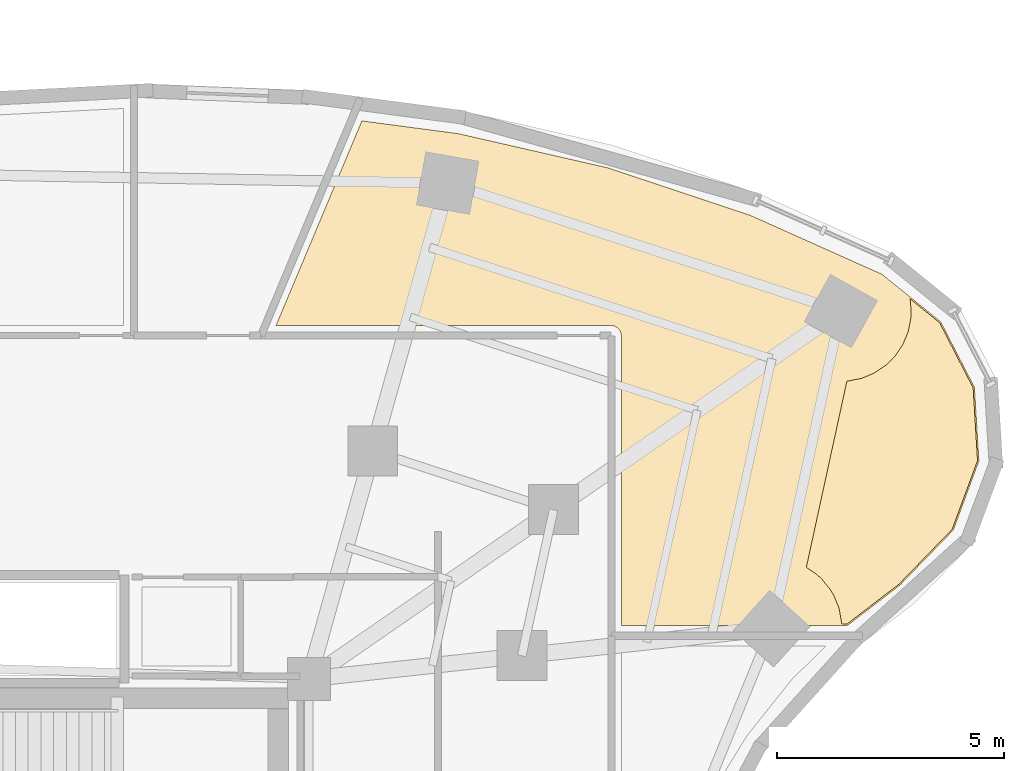
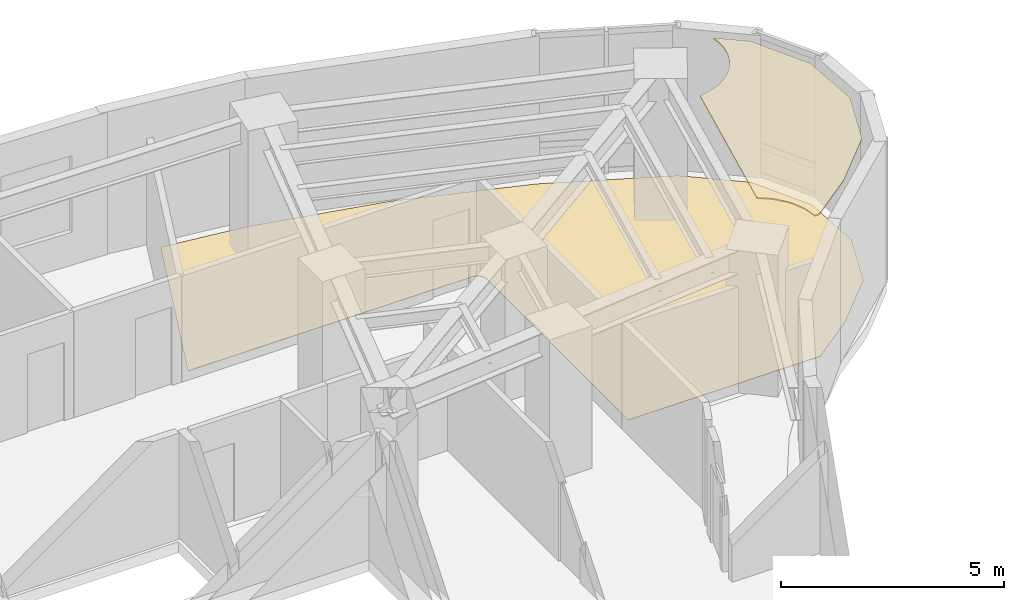
# One storey, part 14 of 14: 2 coverings.
"""IFC4 building model written with IfcOpenShell, lengths in metres."""

import ifcopenshell
import ifcopenshell.guid

model = None  # the IFC model being written
_history = None  # IfcOwnerHistory: only IFC2X3 demands one
_inside = {}  # id of a spatial element -> (the spatial element, [elements in it])
_under = {}  # id of a project, library or spatial element -> (it, [spatial elements below it])
_declared = {}  # id of a project -> (the project, [libraries it declares])
_typed = {}  # id of a type object -> (the type object, [elements of that type])
_made_of = {}  # id of a material, layer set ... -> (it, [elements and type objects made of it])


def new_model(schema):
    """Start an empty IFC model of exactly this schema.

    Asked for "IFC4X3", IfcOpenShell would pick the latest addendum, in which some entities
    have other attributes; the version numbers below select the first issue.
    IFC2X3 requires an IfcOwnerHistory on every rooted entity: one is made here for all.
    """
    global model, _history
    if schema == "IFC4X3":
        model = ifcopenshell.file(schema_version=(4, 3, 0, 0))
    else:
        model = ifcopenshell.file(schema=schema)
    _inside.clear()
    _under.clear()
    _declared.clear()
    _typed.clear()
    _made_of.clear()
    _history = None
    if model.schema == "IFC2X3":
        org = make("IfcOrganization", Name="unknown")
        user = make(
            "IfcPersonAndOrganization",
            ThePerson=make("IfcPerson", FamilyName="unknown"),
            TheOrganization=org,
        )
        app = make(
            "IfcApplication",
            ApplicationDeveloper=org,
            Version="unknown",
            ApplicationFullName="unknown",
            ApplicationIdentifier="unknown",
        )
        _history = make(
            "IfcOwnerHistory",
            OwningUser=user,
            OwningApplication=app,
            ChangeAction="ADDED",
            CreationDate=0,
        )
    return model


def make(cls, **values):
    """One entity of the class cls with the attributes given. An attribute that is None is left unset."""
    return model.create_entity(
        cls, **{name: value for name, value in values.items() if value is not None}
    )


def rooted(cls, **values):
    """An entity with a GlobalId (a new one), such as an element, a storey or a relation."""
    return make(cls, GlobalId=ifcopenshell.guid.new(), OwnerHistory=_history, **values)


def si_unit(unit_type, name, prefix=None):
    """IfcSIUnit, for example si_unit("LENGTHUNIT", "METRE", prefix="MILLI")."""
    return make("IfcSIUnit", UnitType=unit_type, Prefix=prefix, Name=name)


def assignment(units):
    """IfcUnitAssignment: the units of a project."""
    return None if units is None else make("IfcUnitAssignment", Units=units)


def point(xyz):
    """IfcCartesianPoint."""
    return None if xyz is None else make("IfcCartesianPoint", Coordinates=xyz)


def direction(xyz):
    """IfcDirection."""
    return None if xyz is None else make("IfcDirection", DirectionRatios=xyz)


def frame(location, z_axis=None, x_axis=None):
    """IfcAxis2Placement3D, a coordinate frame: its origin and axes. An axis left out is left unset."""
    return make(
        "IfcAxis2Placement3D",
        Location=point(location),
        Axis=direction(z_axis),
        RefDirection=direction(x_axis),
    )


def origin():
    """The frame at (0, 0, 0) with its axes left unset."""
    return frame((0.0, 0.0, 0.0))


def place(relative_to, where):
    """IfcLocalPlacement: puts the frame where relative to a parent placement (None: the world)."""
    return make(
        "IfcLocalPlacement", PlacementRelTo=relative_to, RelativePlacement=where
    )


def context(
    kind, dimensions, precision=None, world=None, true_north=None, identifier=None
):
    """IfcGeometricRepresentationContext, for example the 3D "Model" context."""
    return make(
        "IfcGeometricRepresentationContext",
        ContextIdentifier=identifier,
        ContextType=kind,
        CoordinateSpaceDimension=dimensions,
        Precision=precision,
        WorldCoordinateSystem=world,
        TrueNorth=true_north,
    )


def subcontext(parent, identifier, kind, view, scale=None):
    """IfcGeometricRepresentationSubContext, for example "Body" below "Model"."""
    return make(
        "IfcGeometricRepresentationSubContext",
        ContextIdentifier=identifier,
        ContextType=kind,
        ParentContext=parent,
        TargetScale=scale,
        TargetView=view,
    )


def project(units=None, contexts=None):
    """IfcProject with its units and contexts."""
    return rooted(
        "IfcProject",
        Name="project",
        RepresentationContexts=contexts,
        UnitsInContext=assignment(units),
    )


def spatial(cls, under=None, at=None, **own):
    """A site, building, storey or space (cls), placed at a placement, below another one or the project."""
    s = rooted(cls, ObjectPlacement=at, **own)
    if under is not None:
        _under.setdefault(under.id(), (under, []))[1].append(s)
    return s


def polyline(points):
    """IfcPolyline through the points."""
    return make("IfcPolyline", Points=[point(p) for p in points])


def outline(outer, holes=None, kind="AREA"):
    """IfcArbitraryClosedProfileDef: a profile drawn as a closed curve; with holes, ...WithVoids."""
    if holes is None:
        return make("IfcArbitraryClosedProfileDef", ProfileType=kind, OuterCurve=outer)
    return make(
        "IfcArbitraryProfileDefWithVoids",
        ProfileType=kind,
        OuterCurve=outer,
        InnerCurves=holes,
    )


def extrude(swept, where, along, depth):
    """IfcExtrudedAreaSolid: the profile swept, set in the frame where, extruded along a direction by depth."""
    return make(
        "IfcExtrudedAreaSolid",
        SweptArea=swept,
        Position=where,
        ExtrudedDirection=direction(along),
        Depth=depth,
    )


def shape(context_of_items, identifier, shape_type, items):
    """IfcShapeRepresentation: the items that make up one representation, for example the "Body"."""
    return make(
        "IfcShapeRepresentation",
        ContextOfItems=context_of_items,
        RepresentationIdentifier=identifier,
        RepresentationType=shape_type,
        Items=items,
    )


def material(Name=None, Category=None):
    """IfcMaterial."""
    return make("IfcMaterial", Name=Name, Category=Category)


def layer(
    of_material, thickness, ventilated=None, Name=None, Category=None, Priority=None
):
    """IfcMaterialLayer: one layer of a wall or slab, of a material (None: an air gap)."""
    return make(
        "IfcMaterialLayer",
        Material=of_material,
        LayerThickness=thickness,
        IsVentilated=ventilated,
        Name=Name,
        Category=Category,
        Priority=Priority,
    )


def layer_set(layers, Name=None):
    """IfcMaterialLayerSet."""
    return make("IfcMaterialLayerSet", MaterialLayers=layers, LayerSetName=Name)


def made_of(thing, what):
    """Note that an element or type object is made of a material, layer set ...; save() writes the relation."""
    if what is not None:
        _made_of.setdefault(what.id(), (what, []))[1].append(thing)
    return thing


def type_object(cls, material=None, **own):
    """A type object (cls), such as IfcWallType, which elements share."""
    return made_of(rooted(cls, **own), material)


def element(
    cls,
    number,
    at=None,
    inside=None,
    cuts=None,
    type_object=None,
    material=None,
    context=None,
    identifier="Body",
    shape_type=None,
    held_by="IfcProductDefinitionShape",
    body=None,
    shapes=None,
    **own,
):
    """One element of the class cls, such as IfcWall. Its Tag is "e" and its number.

    at: its placement. inside: the storey or other place that contains it. cuts: it is an
    opening in that element (IfcRelVoidsElement). A single representation is given by context,
    identifier, shape_type and body (its items); several are given by shapes. held_by: the class
    of the entity that holds the representations. save() writes the other relations.
    """
    e = rooted(cls, Tag="e%d" % number, ObjectPlacement=at, **own)
    if body is not None:
        shapes = [shape(context, identifier, shape_type, body)]
    if shapes is not None:
        e.Representation = make(held_by, Representations=shapes)
    if inside is not None:
        _inside.setdefault(inside.id(), (inside, []))[1].append(e)
    if cuts is not None:
        rooted(
            "IfcRelVoidsElement", RelatingBuildingElement=cuts, RelatedOpeningElement=e
        )
    if type_object is not None:
        _typed.setdefault(type_object.id(), (type_object, []))[1].append(e)
    return made_of(e, material)


def aggregate(whole, parts):
    """IfcRelAggregates: a whole, such as a stair, and the parts it consists of."""
    return rooted("IfcRelAggregates", RelatingObject=whole, RelatedObjects=parts)


def save(model, path):
    """Write the relations noted so far, then the file.

    IfcRelAggregates (storeys below a building ...), IfcRelContainedInSpatialStructure (elements
    in a storey), IfcRelDefinesByType, IfcRelAssociatesMaterial and IfcRelDeclares: one each for
    every whole, place, type object, material and project.
    """
    for whole, parts in _under.values():
        aggregate(whole, parts)
    for where, things in _inside.values():
        rooted(
            "IfcRelContainedInSpatialStructure",
            RelatedElements=things,
            RelatingStructure=where,
        )
    for kind, things in _typed.values():
        rooted("IfcRelDefinesByType", RelatedObjects=things, RelatingType=kind)
    for what, things in _made_of.values():
        rooted("IfcRelAssociatesMaterial", RelatedObjects=things, RelatingMaterial=what)
    for by, libraries in _declared.values():
        rooted("IfcRelDeclares", RelatingContext=by, RelatedDefinitions=libraries)
    model.write(path)


model = new_model("IFC4")

# Units and contexts
model_context = context("Model", 3, precision=1e-05, world=origin(), true_north=direction((0.0, 1.0)))
body_context = subcontext(model_context, "Body", "Model", "MODEL_VIEW")
ifc_project = project(units=[si_unit("LENGTHUNIT", "METRE"), si_unit("AREAUNIT", "SQUARE_METRE"), si_unit("VOLUMEUNIT", "CUBIC_METRE"), si_unit("PLANEANGLEUNIT", "RADIAN"), si_unit("MASSUNIT", "GRAM", prefix="KILO")], contexts=[model_context])

# Site, building, storey
site_placement = place(None, origin())
site = spatial("IfcSite", under=ifc_project, at=site_placement, CompositionType="ELEMENT")
building_placement = place(site_placement, origin())
building = spatial("IfcBuilding", under=site, at=building_placement, Name="Korentha Bioscience Tower", CompositionType="ELEMENT")
storey_placement = place(building_placement, frame((0.0, 0.0, 102.60009765625)))
storey = spatial("IfcBuildingStorey", under=building, at=storey_placement, Name="L23", CompositionType="ELEMENT", Elevation=102.60009765625)

# Coverings
ifc_material_1 = material(Name="Antimicrobial Mineral Fibre Board", Category="gypsum")
ifc_layer_1 = layer(ifc_material_1, 0.034912109375, Name="Antimicrobial Mineral Fibre Board")
ifc_layer_set_1 = layer_set([ifc_layer_1], Name="Antimicrobial Mineral Fibre Board (CL-MF35)")
covering_type_1 = type_object("IfcCoveringType", Name="Mineral-Fibre Cleanroom Suspended Ceiling 35", PredefinedType="CEILING", material=ifc_layer_set_1)
covering_1_placement = place(storey_placement, frame((0.0, 0.0, 3.864990234375)))
element("IfcCovering", 1, at=covering_1_placement, inside=storey, type_object=covering_type_1, Name="L23 Biosafety Equipment Store 06 Acoustic Ceiling", PredefinedType="CEILING", context=body_context, shape_type="SweptSolid", body=[
    extrude(outline(polyline([(51.43408203125, 43.69140625), (52.1708984375, 42.260009765625), (52.267822265625, 40.65283203125), (51.708740234375, 39.14306640625), (50.536376953125, 37.93359375), (49.395263671875, 37.05810546875), (49.28125, 37.05810546875), (49.219482421875, 37.40966796875), (49.10302734375, 37.6904296875), (49.02490234375, 37.82080078125), (48.83203125, 38.055908203125), (48.719482421875, 38.157958984375), (48.49951171875, 38.30712890625), (49.39208984375, 42.403564453125), (49.708740234375, 42.463623046875), (49.989501953125, 42.579833984375), (50.2421875, 42.748779296875), (50.45703125, 42.963623046875), (50.625732421875, 43.21630859375), (50.7421875, 43.4970703125), (50.80126953125, 43.794921875), (50.808837890625, 43.947021484375), (50.78369140625, 44.218017578125), (51.43408203125, 43.69140625)])), origin(), (0.0, 0.0, 1.0), 0.034912109375),
])
ifc_material_2 = material(Name="Chemical-Resistant Epoxy Resin", Category="polymer")
ifc_layer_2 = layer(ifc_material_2, 0.011962890625, Name="Chemical-Resistant Epoxy Resin")
ifc_layer_set_2 = layer_set([ifc_layer_2], Name="Chemical-Resistant Epoxy Resin (FL-EPX)")
covering_type_2 = type_object("IfcCoveringType", Name="Seamless Epoxy Laboratory Flooring 12", PredefinedType="FLOORING", material=ifc_layer_set_2)
covering_2_placement = place(storey_placement, origin())
element("IfcCovering", 2, at=covering_2_placement, inside=storey, type_object=covering_type_2, Name="L23 Biosafety Equipment Store 06 Floor Finish", PredefinedType="FLOORING", context=body_context, shape_type="SweptSolid", body=[
    extrude(outline(polyline([(40.8349609375, 47.85400390625), (44.1171875, 47.103515625), (47.25439453125, 46.060546875), (50.164794921875, 44.757568359375), (51.4580078125, 43.7109375), (52.200439453125, 42.26806640625), (52.29833984375, 40.6484375), (51.734619140625, 39.126708984375), (50.556396484375, 37.9111328125), (49.405517578125, 37.028076171875), (44.429931640625, 37.028076171875), (44.429931640625, 43.39990234375), (44.408203125, 43.497802734375), (44.35400390625, 43.57080078125), (44.27783203125, 43.616455078125), (44.199951171875, 43.6298828125), (36.825927734375, 43.6298828125), (38.7158203125, 48.134033203125), (40.8349609375, 47.85400390625)])), origin(), (0.0, 0.0, 1.0), 0.011962890625),
])

save(model, "model.ifc")
